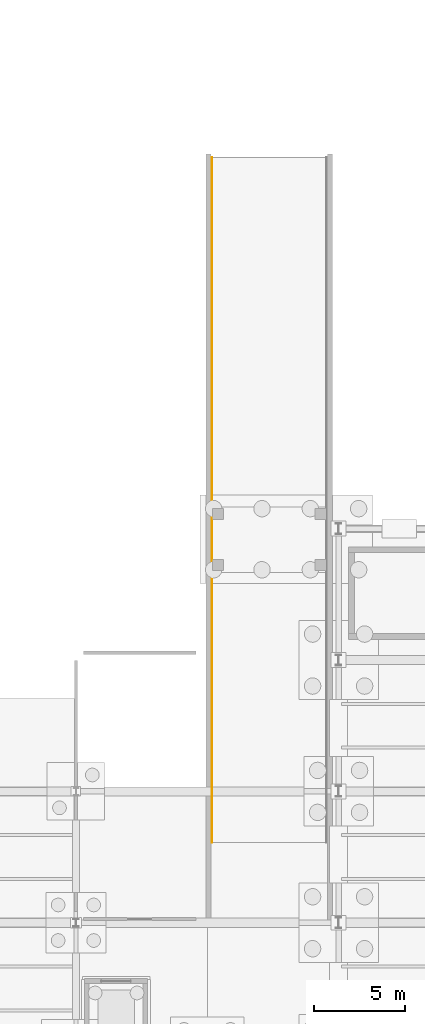
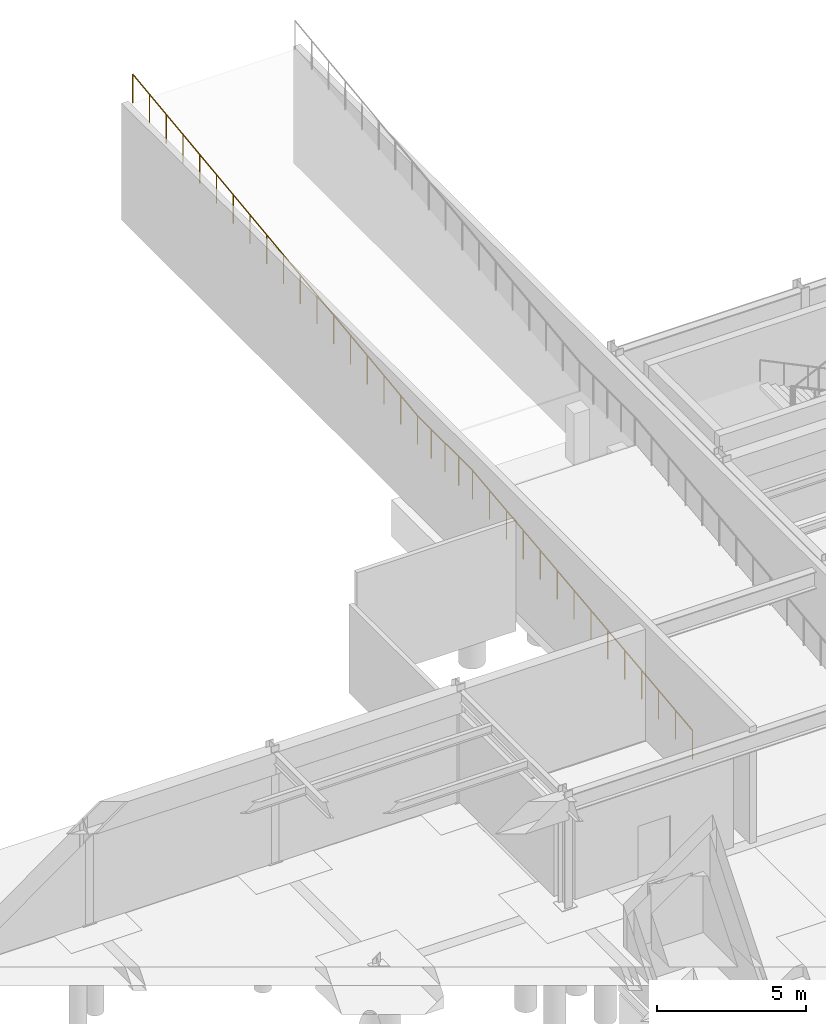
# One storey, part 60 of 64: 1 railing.
"""IFC4 building model written with IfcOpenShell, lengths in metres."""

from ifc_helpers import new_model, si_unit, direction, frame, origin, origin_2d, place, context, subcontext, project, spatial, circle, extrude, material, type_object, element, save


model = new_model("IFC4")

# Units and contexts
model_context = context("Model", 3, precision=1e-05, world=origin(), true_north=direction((0.0, 1.0)))
body_context = subcontext(model_context, "Body", "Model", "MODEL_VIEW")
ifc_project = project(units=[si_unit("LENGTHUNIT", "METRE"), si_unit("AREAUNIT", "SQUARE_METRE"), si_unit("VOLUMEUNIT", "CUBIC_METRE"), si_unit("PLANEANGLEUNIT", "RADIAN"), si_unit("MASSUNIT", "GRAM", prefix="KILO")], contexts=[model_context])

# Site, building, storey
site_placement = place(None, origin())
site = spatial("IfcSite", under=ifc_project, at=site_placement, CompositionType="ELEMENT")
building_placement = place(site_placement, origin())
building = spatial("IfcBuilding", under=site, at=building_placement, Name="Solvadek Multi-Sports Hall", CompositionType="ELEMENT")
storey_placement = place(building_placement, frame((0.0, 0.0, -4.800048828125)))
storey = spatial("IfcBuildingStorey", under=building, at=storey_placement, Name="B1", CompositionType="ELEMENT", Elevation=-4.800048828125)

# Railing
ifc_material = material(Name="Steel E250 (250 MPa)", Category="steel")
railing_type = type_object("IfcRailingType", Name="INT-RAL-GRD115", PredefinedType="BALUSTRADE", material=ifc_material)
railing_placement = place(storey_placement, frame((129.860107421875, 53.60009765625, 0.699951171875)))
element("IfcRailing", 1, at=railing_placement, inside=storey, type_object=railing_type, Name="East Car Park Vehicle Ramp VR-02 Side Safety Guard W", PredefinedType="BALUSTRADE", context=body_context, shape_type="SweptSolid", body=[
    extrude(circle(Radius=0.02392578125, at=origin_2d()), frame((0.0, 0.0, 1.17578125), z_axis=(0.0, 0.993422179676, 0.114509270049), x_axis=(-1.0, 0.0, 0.0)), (0.0, 0.0, 1.0), 14.84765625),
    extrude(circle(Radius=0.02392578125, at=origin_2d()), frame((0.0, 14.75, 2.8759765625), z_axis=(0.0, 1.0, 0.0), x_axis=(-1.0, 0.0, 0.0)), (0.0, 0.0, 1.0), 3.699951171875),
    extrude(circle(Radius=0.02392578125, at=origin_2d()), frame((0.0, 18.449951171875, 2.8759765625), z_axis=(0.0, 0.992198260719, 0.124670010135), x_axis=(-1.0, 0.0, 0.0)), (0.0, 0.0, 1.0), 19.25),
    extrude(circle(Radius=0.02099609375, at=origin_2d()), origin(), (0.0, 0.0, 1.0), 1.15185546875),
    extrude(circle(Radius=0.02099609375, at=origin_2d()), frame((0.0, 1.134521484375, 0.130859375)), (0.0, 0.0, 1.0), 1.15185546875),
    extrude(circle(Radius=0.02099609375, at=origin_2d()), frame((0.0, 2.269287109375, 0.261474609375)), (0.0, 0.0, 1.0), 1.15185546875),
    extrude(circle(Radius=0.02099609375, at=origin_2d()), frame((0.0, 3.40380859375, 0.392333984375)), (0.0, 0.0, 1.0), 1.15185546875),
    extrude(circle(Radius=0.02099609375, at=origin_2d()), frame((0.0, 4.53857421875, 0.523193359375)), (0.0, 0.0, 1.0), 1.15185546875),
    extrude(circle(Radius=0.02099609375, at=origin_2d()), frame((0.0, 5.673095703125, 0.65380859375)), (0.0, 0.0, 1.0), 1.15185546875),
    extrude(circle(Radius=0.02099609375, at=origin_2d()), frame((0.0, 6.8076171875, 0.78466796875)), (0.0, 0.0, 1.0), 1.15185546875),
    extrude(circle(Radius=0.02099609375, at=origin_2d()), frame((0.0, 7.9423828125, 0.91552734375)), (0.0, 0.0, 1.0), 1.15185546875),
    extrude(circle(Radius=0.02099609375, at=origin_2d()), frame((0.0, 9.076904296875, 1.04638671875)), (0.0, 0.0, 1.0), 1.15185546875),
    extrude(circle(Radius=0.02099609375, at=origin_2d()), frame((0.0, 10.21142578125, 1.177001953125)), (0.0, 0.0, 1.0), 1.15185546875),
    extrude(circle(Radius=0.02099609375, at=origin_2d()), frame((0.0, 11.34619140625, 1.307861328125)), (0.0, 0.0, 1.0), 1.15185546875),
    extrude(circle(Radius=0.02099609375, at=origin_2d()), frame((0.0, 12.480712890625, 1.438720703125)), (0.0, 0.0, 1.0), 1.15185546875),
    extrude(circle(Radius=0.02099609375, at=origin_2d()), frame((0.0, 13.615478515625, 1.5693359375)), (0.0, 0.0, 1.0), 1.15185546875),
    extrude(circle(Radius=0.02099609375, at=origin_2d()), frame((0.0, 14.75, 1.7001953125)), (0.0, 0.0, 1.0), 1.15185546875),
    extrude(circle(Radius=0.02099609375, at=origin_2d()), frame((0.0, 15.675048828125, 1.7001953125)), (0.0, 0.0, 1.0), 1.15185546875),
    extrude(circle(Radius=0.02099609375, at=origin_2d()), frame((0.0, 16.60009765625, 1.7001953125)), (0.0, 0.0, 1.0), 1.15185546875),
    extrude(circle(Radius=0.02099609375, at=origin_2d()), frame((0.0, 17.52490234375, 1.7001953125)), (0.0, 0.0, 1.0), 1.15185546875),
    extrude(circle(Radius=0.02099609375, at=origin_2d()), frame((0.0, 18.449951171875, 1.7001953125)), (0.0, 0.0, 1.0), 1.15185546875),
    extrude(circle(Radius=0.02099609375, at=origin_2d()), frame((0.0, 19.573486328125, 1.84130859375)), (0.0, 0.0, 1.0), 1.15185546875),
    extrude(circle(Radius=0.02099609375, at=origin_2d()), frame((0.0, 20.697021484375, 1.982421875)), (0.0, 0.0, 1.0), 1.15185546875),
    extrude(circle(Radius=0.02099609375, at=origin_2d()), frame((0.0, 21.820556640625, 2.123779296875)), (0.0, 0.0, 1.0), 1.15185546875),
    extrude(circle(Radius=0.02099609375, at=origin_2d()), frame((0.0, 22.944091796875, 2.264892578125)), (0.0, 0.0, 1.0), 1.15185546875),
    extrude(circle(Radius=0.02099609375, at=origin_2d()), frame((0.0, 24.067626953125, 2.406005859375)), (0.0, 0.0, 1.0), 1.15185546875),
    extrude(circle(Radius=0.02099609375, at=origin_2d()), frame((0.0, 25.191162109375, 2.547119140625)), (0.0, 0.0, 1.0), 1.15185546875),
    extrude(circle(Radius=0.02099609375, at=origin_2d()), frame((0.0, 26.314697265625, 2.6884765625)), (0.0, 0.0, 1.0), 1.15185546875),
    extrude(circle(Radius=0.02099609375, at=origin_2d()), frame((0.0, 27.438232421875, 2.82958984375)), (0.0, 0.0, 1.0), 1.15185546875),
    extrude(circle(Radius=0.02099609375, at=origin_2d()), frame((0.0, 28.5615234375, 2.970703125)), (0.0, 0.0, 1.0), 1.15185546875),
    extrude(circle(Radius=0.02099609375, at=origin_2d()), frame((0.0, 29.68505859375, 3.11181640625)), (0.0, 0.0, 1.0), 1.15185546875),
    extrude(circle(Radius=0.02099609375, at=origin_2d()), frame((0.0, 30.80859375, 3.253173828125)), (0.0, 0.0, 1.0), 1.15185546875),
    extrude(circle(Radius=0.02099609375, at=origin_2d()), frame((0.0, 31.93212890625, 3.394287109375)), (0.0, 0.0, 1.0), 1.15185546875),
    extrude(circle(Radius=0.02099609375, at=origin_2d()), frame((0.0, 33.0556640625, 3.535400390625)), (0.0, 0.0, 1.0), 1.15185546875),
    extrude(circle(Radius=0.02099609375, at=origin_2d()), frame((0.0, 34.17919921875, 3.676513671875)), (0.0, 0.0, 1.0), 1.15185546875),
    extrude(circle(Radius=0.02099609375, at=origin_2d()), frame((0.0, 35.302734375, 3.81787109375)), (0.0, 0.0, 1.0), 1.15185546875),
    extrude(circle(Radius=0.02099609375, at=origin_2d()), frame((0.0, 36.42626953125, 3.958984375)), (0.0, 0.0, 1.0), 1.15185546875),
    extrude(circle(Radius=0.02099609375, at=origin_2d()), frame((0.0, 37.5498046875, 4.10009765625)), (0.0, 0.0, 1.0), 1.15185546875),
])

save(model, "model.ifc")
